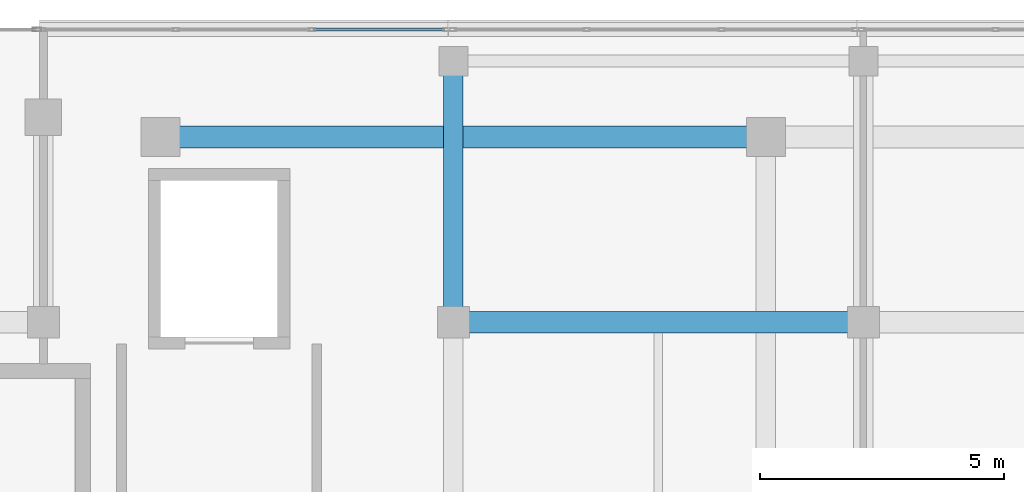
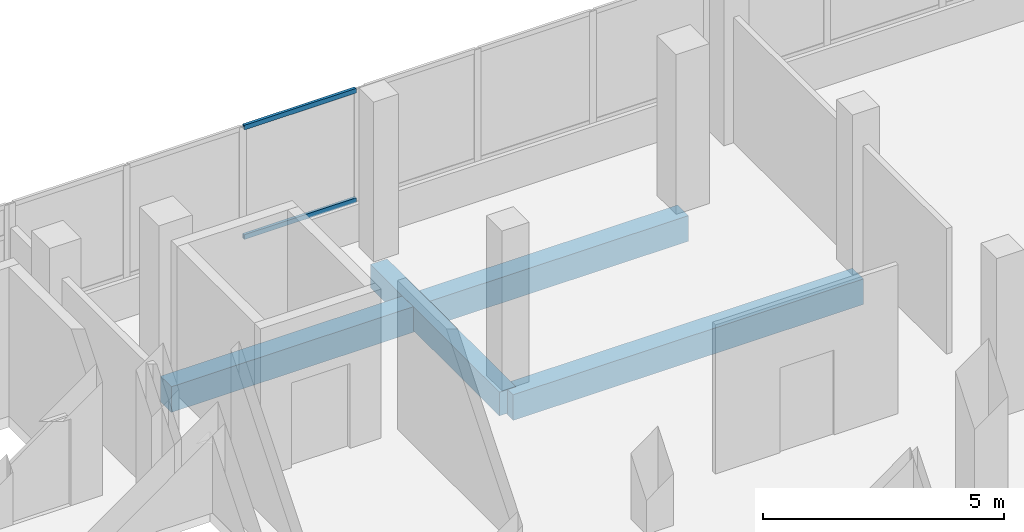
# One storey, part 24 of 76: 3 beams, 2 members, 1 element without a shape of its own.
"""IFC4 building model written with IfcOpenShell, lengths in metres."""

from ifc_helpers import new_model, si_unit, direction, frame, origin, origin_2d, place, context, subcontext, project, spatial, rectangle, hollow_rectangle, extrude, material, material_profile, profile_set, type_object, element, aggregate, save


model = new_model("IFC4")

# Units and contexts
model_context = context("Model", 3, precision=1e-05, world=origin(), true_north=direction((0.0, 1.0)))
body_context = subcontext(model_context, "Body", "Model", "MODEL_VIEW")
ifc_project = project(units=[si_unit("LENGTHUNIT", "METRE"), si_unit("AREAUNIT", "SQUARE_METRE"), si_unit("VOLUMEUNIT", "CUBIC_METRE"), si_unit("PLANEANGLEUNIT", "RADIAN"), si_unit("MASSUNIT", "GRAM", prefix="KILO")], contexts=[model_context])

# Site, building, storey
site_placement = place(None, origin())
site = spatial("IfcSite", under=ifc_project, at=site_placement, CompositionType="ELEMENT")
building_placement = place(site_placement, origin())
building = spatial("IfcBuilding", under=site, at=building_placement, Name="Selatvlak General Hospital", CompositionType="ELEMENT")
storey_placement = place(building_placement, frame((0.0, 0.0, 27.300048828125)))
storey = spatial("IfcBuildingStorey", under=building, at=storey_placement, Name="L06", CompositionType="ELEMENT", Elevation=27.300048828125)

# Beams
ifc_material_1 = material(Name="Concrete C40/50", Category="concrete")
ifc_material_profile_1 = material_profile(ifc_material_1, rectangle(XDim=0.449951171875, YDim=0.64990234375, at=origin_2d()), Name="RC-BM 450x650")
ifc_profile_set_1 = profile_set([ifc_material_profile_1], Name="Concrete C40/50")
beam_type_1 = type_object("IfcBeamType", Name="BM-G04", PredefinedType="BEAM", material=ifc_profile_set_1)
beam_1_placement = place(storey_placement, frame((64.800048828125, 114.0, -0.60009765625), z_axis=(1.0, 0.0, 0.0), x_axis=(0.0, 1.0, 0.0)))
element("IfcBeam", 1, at=beam_1_placement, inside=storey, type_object=beam_type_1, Name="Beam BMR-L06-2221", PredefinedType="BEAM", context=body_context, shape_type="SweptSolid", body=[
    extrude(rectangle(XDim=0.449951171875, YDim=0.64990234375, at=origin_2d()), origin(), (0.0, 0.0, 1.0), 8.39990234375),
])
beam_2_placement = place(storey_placement, frame((58.800048828125, 117.800048828125, -0.60009765625), z_axis=(1.0, 0.0, 0.0), x_axis=(0.0, 1.0, 0.0)))
element("IfcBeam", 2, at=beam_2_placement, inside=storey, type_object=beam_type_1, Name="Beam BMR-L06-2230", PredefinedType="BEAM", context=body_context, shape_type="SweptSolid", body=[
    extrude(rectangle(XDim=0.449951171875, YDim=0.64990234375, at=origin_2d()), origin(), (0.0, 0.0, 1.0), 12.39990234375),
])
ifc_material_profile_2 = material_profile(ifc_material_1, rectangle(XDim=0.39990234375, YDim=0.60009765625, at=origin_2d()), Name="RC-BM 400x600")
ifc_profile_set_2 = profile_set([ifc_material_profile_2], Name="Concrete C40/50")
beam_type_2 = type_object("IfcBeamType", Name="BM-G05", PredefinedType="BEAM", material=ifc_profile_set_2)
beam_3_placement = place(storey_placement, frame((64.800048828125, 114.0, -0.574951171875), z_axis=(0.0, 1.0, 0.0), x_axis=(-1.0, 0.0, 0.0)))
element("IfcBeam", 3, at=beam_3_placement, inside=storey, type_object=beam_type_2, Name="Beam BMR-L06-2269", PredefinedType="BEAM", context=body_context, shape_type="SweptSolid", body=[
    extrude(rectangle(XDim=0.39990234375, YDim=0.60009765625, at=origin_2d()), origin(), (0.0, 0.0, 1.0), 5.35009765625),
])

# Curtain wall, members
ifc_material_2 = material(Name="Solar-control Low-E double glazing", Category="glass")
curtain_wall_type = type_object("IfcCurtainWallType", Name="CW-CW-02", PredefinedType="USERDEFINED", material=ifc_material_2)
curtain_wall_placement = place(storey_placement, origin())
curtain_wall = element("IfcCurtainWall", 4, at=curtain_wall_placement, inside=storey, type_object=curtain_wall_type, Name="Glazed facade curtain wall CW-L06-0602", ObjectType="UNITISED CURTAIN WALL", PredefinedType="USERDEFINED")
ifc_material_3 = material(Name="Dark anodised aluminium mullion", Category="aluminium")
ifc_material_profile_3 = material_profile(ifc_material_3, hollow_rectangle(XDim=0.06494140625, YDim=0.1201171875, WallThickness=0.00390625, at=origin_2d()), Name="AL-TRN 65x120x4")
ifc_profile_set_3 = profile_set([ifc_material_profile_3], Name="Dark anodised aluminium mullion")
member_type = type_object("IfcMemberType", Name="CWT-01", PredefinedType="USERDEFINED", material=ifc_profile_set_3)
member_1_placement = place(storey_placement, frame((61.928955078125, 119.9990234375, 0.972412109375), z_axis=(1.0, 0.0, 0.0), x_axis=(0.0, 1.0, 0.0)))
member_1 = element("IfcMember", 5, at=member_1_placement, type_object=member_type, Name="CW-02 transom 3.1", ObjectType="TRANSOM", PredefinedType="USERDEFINED", context=body_context, shape_type="SweptSolid", body=[
    extrude(hollow_rectangle(XDim=0.06494140625, YDim=0.1201171875, WallThickness=0.00390625, at=origin_2d()), origin(), (0.0, 0.0, 1.0), 2.68505859375),
])
member_2_placement = place(storey_placement, frame((61.928955078125, 119.9990234375, 3.74755859375), z_axis=(1.0, 0.0, 0.0), x_axis=(0.0, 1.0, 0.0)))
member_2 = element("IfcMember", 6, at=member_2_placement, type_object=member_type, Name="CW-02 transom 3.2", ObjectType="TRANSOM", PredefinedType="USERDEFINED", context=body_context, shape_type="SweptSolid", body=[
    extrude(hollow_rectangle(XDim=0.06494140625, YDim=0.1201171875, WallThickness=0.00390625, at=origin_2d()), origin(), (0.0, 0.0, 1.0), 2.68505859375),
])
aggregate(curtain_wall, [member_1, member_2])

save(model, "model.ifc")
